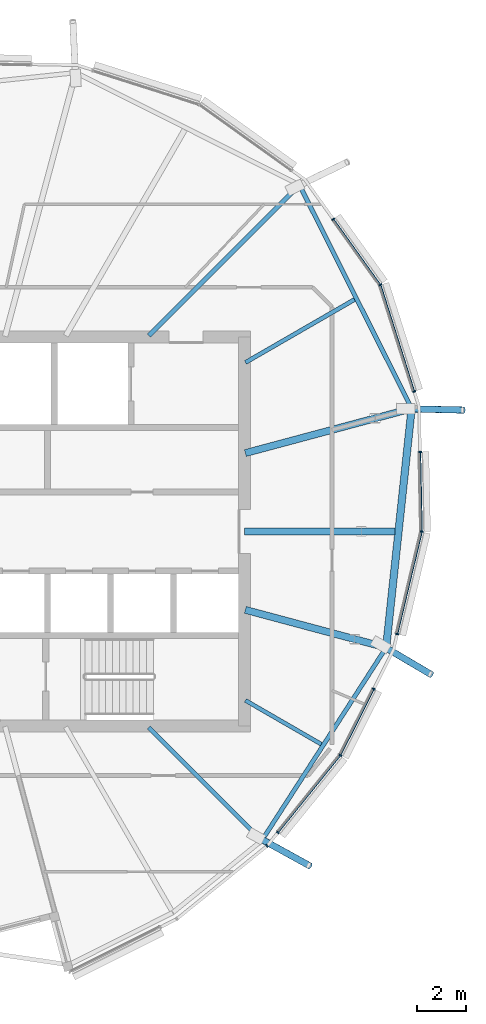
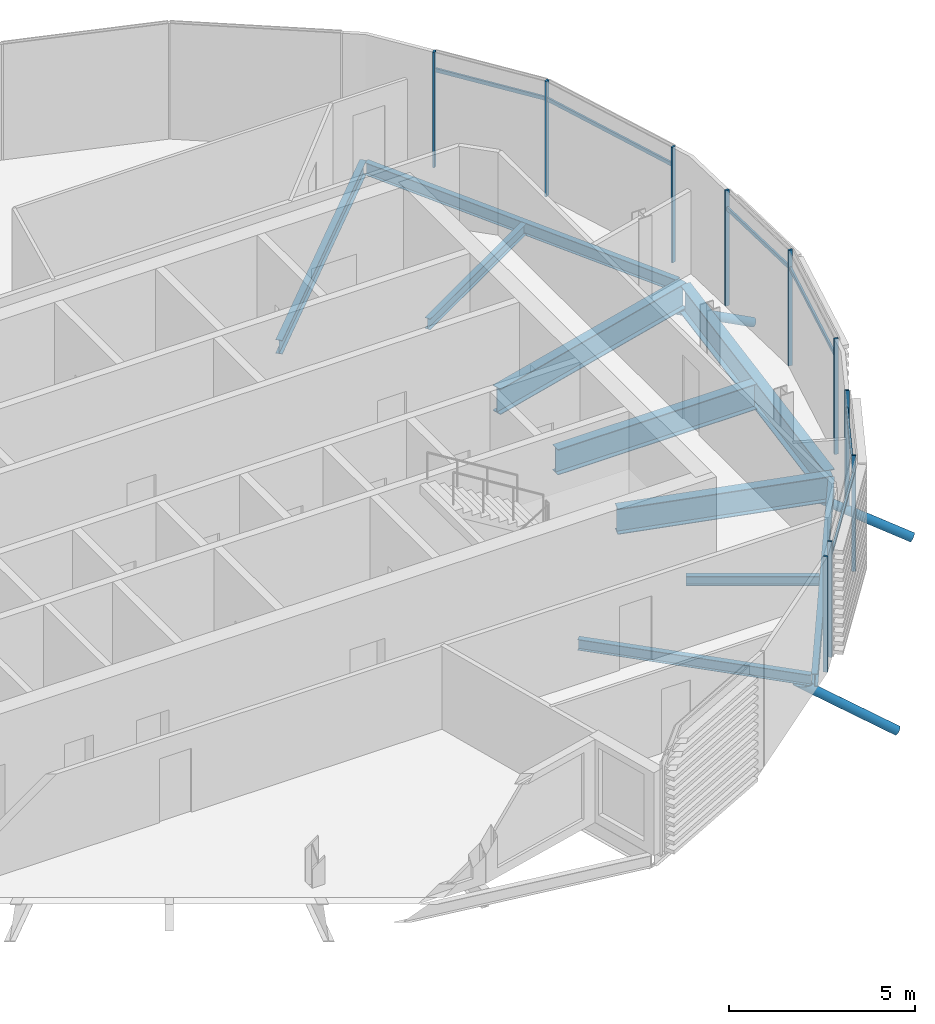
# One storey, part 13 of 33: 19 members, 10 beams, 1 element without a shape of its own.
"""IFC4 building model written with IfcOpenShell, lengths in metres."""

from ifc_helpers import new_model, si_unit, direction, frame, origin, origin_2d, place, context, subcontext, project, spatial, rectangle, hollow_circle, i_section, extrude, clip, halfspace, material, material_profile, profile_set, type_object, element, aggregate, save


model = new_model("IFC4")

# Units and contexts
model_context = context("Model", 3, precision=1e-05, world=origin(), true_north=direction((0.0, 1.0)))
body_context = subcontext(model_context, "Body", "Model", "MODEL_VIEW")
ifc_project = project(units=[si_unit("LENGTHUNIT", "METRE"), si_unit("AREAUNIT", "SQUARE_METRE"), si_unit("VOLUMEUNIT", "CUBIC_METRE"), si_unit("PLANEANGLEUNIT", "RADIAN"), si_unit("MASSUNIT", "GRAM", prefix="KILO")], contexts=[model_context])

# Site, building, storey
site_placement = place(None, origin())
site = spatial("IfcSite", under=ifc_project, at=site_placement, CompositionType="ELEMENT")
building_placement = place(site_placement, origin())
building = spatial("IfcBuilding", under=site, at=building_placement, Name="Rimbun Link Towers", CompositionType="ELEMENT")
storey_placement = place(building_placement, frame((0.0, 0.0, 237.10009765625)))
storey = spatial("IfcBuildingStorey", under=building, at=storey_placement, Name="L58", CompositionType="ELEMENT", Elevation=237.10009765625)

# Curtain wall, members
ifc_material_1 = material(Name="Aluminium 6063-T6 and low-iron glass", Category="aluminium")
curtain_wall_type = type_object("IfcCurtainWallType", Name="CW1-Z4 unitised vision wall (zone 4)", PredefinedType="NOTDEFINED", material=ifc_material_1)
curtain_wall_placement = place(storey_placement, origin())
curtain_wall = element("IfcCurtainWall", 1, at=curtain_wall_placement, inside=storey, type_object=curtain_wall_type, Name="CW1 L58 T2", PredefinedType="NOTDEFINED")
ifc_material_2 = material(Name="Aluminium 6063-T6", Category="aluminium")
ifc_material_profile_1 = material_profile(ifc_material_2, rectangle(XDim=0.1201171875, YDim=0.06005859375, at=origin_2d()), Name="MULLION 60X120")
ifc_profile_set_1 = profile_set([ifc_material_profile_1], Name="Aluminium 6063-T6")
member_type_1 = type_object("IfcMemberType", Name="CW1 mullion 60X120", PredefinedType="MULLION", material=ifc_profile_set_1)
member_1_placement = place(storey_placement, frame((44.68310546875, -12.942138671875, 0.0), z_axis=(0.0, 0.0, 1.0), x_axis=(0.629148262313, -0.777285317003, 0.0)))
member_1 = element("IfcMember", 2, at=member_1_placement, type_object=member_type_1, Name="CW1 mullion", PredefinedType="MULLION", context=body_context, shape_type="SweptSolid", body=[
    extrude(rectangle(XDim=0.1201171875, YDim=0.06005859375, at=origin_2d()), origin(), (0.0, 0.0, 1.0), 3.7998046875),
])
member_2_placement = place(storey_placement, frame((47.702392578125, -9.213623046875, 0.0), z_axis=(0.0, 0.0, 1.0), x_axis=(0.840317451193, -0.542094623862, 0.0)))
member_2 = element("IfcMember", 3, at=member_2_placement, type_object=member_type_1, Name="CW1 mullion", PredefinedType="MULLION", context=body_context, shape_type="SweptSolid", body=[
    extrude(rectangle(XDim=0.1201171875, YDim=0.06005859375, at=origin_2d()), origin(), (0.0, 0.0, 1.0), 3.7998046875),
])
member_3_placement = place(storey_placement, frame((45.13232421875, -12.38916015625, 0.0), z_axis=(0.0, 0.0, 1.0), x_axis=(0.777285317003, -0.629148262313, 0.0)))
member_3 = element("IfcMember", 4, at=member_3_placement, type_object=member_type_1, Name="CW1 mullion", PredefinedType="MULLION", context=body_context, shape_type="SweptSolid", body=[
    extrude(rectangle(XDim=0.1201171875, YDim=0.06005859375, at=origin_2d()), origin(), (0.0, 0.0, 1.0), 3.7998046875),
])
member_4_placement = place(storey_placement, frame((49.075439453125, -6.47998046875, 0.0), z_axis=(0.0, 0.0, 1.0), x_axis=(0.893642754219, -0.448779041213, 0.0)))
member_4 = element("IfcMember", 5, at=member_4_placement, type_object=member_type_1, Name="CW1 mullion", PredefinedType="MULLION", context=body_context, shape_type="SweptSolid", body=[
    extrude(rectangle(XDim=0.1201171875, YDim=0.06005859375, at=origin_2d()), origin(), (0.0, 0.0, 1.0), 3.7998046875),
])
member_5_placement = place(storey_placement, frame((51.0478515625, -0.00634765625, 0.0), z_axis=(0.0, 0.0, 1.0), x_axis=(0.994297670519, -0.106640247566, 0.0)))
member_5 = element("IfcMember", 6, at=member_5_placement, type_object=member_type_1, Name="CW1 mullion", PredefinedType="MULLION", context=body_context, shape_type="SweptSolid", body=[
    extrude(rectangle(XDim=0.1201171875, YDim=0.06005859375, at=origin_2d()), origin(), (0.0, 0.0, 1.0), 3.7998046875),
])
member_6_placement = place(storey_placement, frame((50.039306640625, -4.22607421875, 0.0), z_axis=(0.0, 0.0, 1.0), x_axis=(0.972571783307, -0.23260293703, 0.0)))
member_6 = element("IfcMember", 7, at=member_6_placement, type_object=member_type_1, Name="CW1 mullion", PredefinedType="MULLION", context=body_context, shape_type="SweptSolid", body=[
    extrude(rectangle(XDim=0.1201171875, YDim=0.06005859375, at=origin_2d()), origin(), (0.0, 0.0, 1.0), 3.7998046875),
])
member_7_placement = place(storey_placement, frame((50.979248046875, 3.277587890625, 0.0), z_axis=(0.0, 0.0, 1.0), x_axis=(0.999778112574, 0.021064795684, 0.0)))
member_7 = element("IfcMember", 8, at=member_7_placement, type_object=member_type_1, Name="CW1 mullion", PredefinedType="MULLION", context=body_context, shape_type="SweptSolid", body=[
    extrude(rectangle(XDim=0.1201171875, YDim=0.06005859375, at=origin_2d()), origin(), (0.0, 0.0, 1.0), 3.7998046875),
])
member_8_placement = place(storey_placement, frame((49.343505859375, 10.153564453125, 0.0), z_axis=(0.0, 0.0, 1.0), x_axis=(0.893746586505, 0.448572222848, 0.0)))
member_8 = element("IfcMember", 9, at=member_8_placement, type_object=member_type_1, Name="CW1 mullion", PredefinedType="MULLION", context=body_context, shape_type="SweptSolid", body=[
    extrude(rectangle(XDim=0.1201171875, YDim=0.06005859375, at=origin_2d()), origin(), (0.0, 0.0, 1.0), 3.7998046875),
])
member_9_placement = place(storey_placement, frame((50.740478515625, 5.763427734375, 0.0), z_axis=(0.0, 0.0, 1.0), x_axis=(0.952967816288, 0.303071511559, 0.0)))
member_9 = element("IfcMember", 10, at=member_9_placement, type_object=member_type_1, Name="CW1 mullion", PredefinedType="MULLION", context=body_context, shape_type="SweptSolid", body=[
    extrude(rectangle(XDim=0.1201171875, YDim=0.06005859375, at=origin_2d()), origin(), (0.0, 0.0, 1.0), 3.7998046875),
])
member_10_placement = place(storey_placement, frame((47.407470703125, 12.852783203125, 0.0), z_axis=(0.0, 0.0, 1.0), x_axis=(0.812469826089, 0.583003243297, 0.0)))
member_10 = element("IfcMember", 11, at=member_10_placement, type_object=member_type_1, Name="CW1 mullion", PredefinedType="MULLION", context=body_context, shape_type="SweptSolid", body=[
    extrude(rectangle(XDim=0.1201171875, YDim=0.06005859375, at=origin_2d()), origin(), (0.0, 0.0, 1.0), 3.7998046875),
])
ifc_material_3 = material(Name="Aluminium 6063-T6", Category="aluminium")
ifc_material_profile_2 = material_profile(ifc_material_3, rectangle(XDim=0.06005859375, YDim=0.1201171875, at=origin_2d()), Name="TRANSOM 60X120")
ifc_profile_set_2 = profile_set([ifc_material_profile_2], Name="Aluminium 6063-T6")
member_type_2 = type_object("IfcMemberType", Name="CW1 transom 60X120", PredefinedType="USERDEFINED", material=ifc_profile_set_2)
member_11_placement = place(storey_placement, frame((47.67822265625, -9.24072265625, 3.199951171875), z_axis=(-0.629166772352, -0.77727033429, 0.0), x_axis=(0.77727033429, -0.629166772352, 0.0)))
member_11 = element("IfcMember", 12, at=member_11_placement, type_object=member_type_2, Name="CW1 transom", ObjectType="TRANSOM", PredefinedType="USERDEFINED", context=body_context, shape_type="SweptSolid", body=[
    extrude(rectangle(XDim=0.06005859375, YDim=0.1201171875, at=origin_2d()), origin(), (0.0, 0.0, 1.0), 4.018798828125),
])
member_12_placement = place(storey_placement, frame((49.060302734375, -6.505859375, 3.199951171875), z_axis=(-0.448779272577, -0.89364263803, 0.0), x_axis=(0.89364263803, -0.448779272577, 0.0)))
member_12 = element("IfcMember", 13, at=member_12_placement, type_object=member_type_2, Name="CW1 transom", ObjectType="TRANSOM", PredefinedType="USERDEFINED", context=body_context, shape_type="SweptSolid", body=[
    extrude(rectangle(XDim=0.06005859375, YDim=0.1201171875, at=origin_2d()), origin(), (0.0, 0.0, 1.0), 2.99267578125),
])
member_13_placement = place(storey_placement, frame((51.037841796875, -0.042724609375, 3.199951171875), z_axis=(-0.232650791791, -0.972560336986, 0.0), x_axis=(0.972560336986, -0.232650791791, 0.0)))
member_13 = element("IfcMember", 14, at=member_13_placement, type_object=member_type_2, Name="CW1 transom", ObjectType="TRANSOM", PredefinedType="USERDEFINED", context=body_context, shape_type="SweptSolid", body=[
    extrude(rectangle(XDim=0.06005859375, YDim=0.1201171875, at=origin_2d()), origin(), (0.0, 0.0, 1.0), 4.27099609375),
])
member_14_placement = place(storey_placement, frame((50.977783203125, 3.24755859375, 3.199951171875), z_axis=(0.021097474096, -0.999777423523, 0.0), x_axis=(0.999777423523, 0.021097474096, 0.0)))
member_14 = element("IfcMember", 15, at=member_14_placement, type_object=member_type_2, Name="CW1 transom", ObjectType="TRANSOM", PredefinedType="USERDEFINED", context=body_context, shape_type="SweptSolid", body=[
    extrude(rectangle(XDim=0.06005859375, YDim=0.1201171875, at=origin_2d()), origin(), (0.0, 0.0, 1.0), 3.217041015625),
])
member_15_placement = place(storey_placement, frame((49.354248046875, 10.11572265625, 3.199951171875), z_axis=(0.303074849243, -0.952966754801, 0.0), x_axis=(0.952966754801, 0.303074849243, 0.0)))
member_15 = element("IfcMember", 16, at=member_15_placement, type_object=member_type_2, Name="CW1 transom", ObjectType="TRANSOM", PredefinedType="USERDEFINED", context=body_context, shape_type="SweptSolid", body=[
    extrude(rectangle(XDim=0.06005859375, YDim=0.1201171875, at=origin_2d()), origin(), (0.0, 0.0, 1.0), 4.53759765625),
])
member_16_placement = place(storey_placement, frame((47.42333984375, 12.827392578125, 3.199951171875), z_axis=(0.583004830978, -0.812468686816, 0.0), x_axis=(0.812468686816, 0.583004830978, 0.0)))
member_16 = element("IfcMember", 17, at=member_16_placement, type_object=member_type_2, Name="CW1 transom", ObjectType="TRANSOM", PredefinedType="USERDEFINED", context=body_context, shape_type="SweptSolid", body=[
    extrude(rectangle(XDim=0.06005859375, YDim=0.1201171875, at=origin_2d()), origin(), (0.0, 0.0, 1.0), 3.25244140625),
])
aggregate(curtain_wall, [member_1, member_2, member_3, member_4, member_5, member_6, member_7, member_8, member_9, member_10, member_11, member_12, member_13, member_14, member_15, member_16])

# Members
ifc_material_4 = material(Name="Steel S355J2H", Category="steel")
ifc_material_profile_3 = material_profile(ifc_material_4, hollow_circle(Radius=0.136474609375, WallThickness=0.012451171875, at=origin_2d()), Name="CHS 273x12.5")
ifc_profile_set_3 = profile_set([ifc_material_profile_3], Name="Steel S355J2H")
member_type_3 = type_object("IfcMemberType", Name="Floor edge link CHS 273x12.5", PredefinedType="BRACE", material=ifc_profile_set_3)
member_17_placement = place(storey_placement, frame((44.368408203125, -12.618408203125, -0.611083984375), z_axis=(0.74716098644, -0.411751151492, -0.521738871072), x_axis=(0.482649891497, 0.875813383226, 0.0)))
element("IfcMember", 18, at=member_17_placement, inside=storey, type_object=member_type_3, Name="Floor edge link T2 L58 18", PredefinedType="BRACE", context=body_context, shape_type="Clipping", body=[
    clip(extrude(hollow_circle(Radius=0.136474609375, WallThickness=0.012451171875, at=origin_2d()), frame((0.0, 0.0, -0.465576171875)), (0.0, 0.0, 1.0), 3.24462890625), halfspace(frame((0.0, 0.0, -0.218505859375), z_axis=(0.0, 0.85310523994, -0.521738871072)), False)),
])
member_18_placement = place(storey_placement, frame((49.534912109375, -4.765380859375, -1.10205078125), z_axis=(0.767788719266, -0.453242066898, -0.452848883582), x_axis=(0.508354116295, 0.861148124567, 0.0)))
element("IfcMember", 19, at=member_18_placement, inside=storey, type_object=member_type_3, Name="Floor edge link T2 L58 20", PredefinedType="BRACE", context=body_context, shape_type="Clipping", body=[
    clip(extrude(hollow_circle(Radius=0.136474609375, WallThickness=0.012451171875, at=origin_2d()), frame((0.0, 0.0, -0.5595703125)), (0.0, 0.0, 1.0), 3.043212890625), halfspace(frame((0.0, 0.0, -0.263427734375), z_axis=(0.0, 0.891587286046, -0.452848883582)), False)),
])
member_19_placement = place(storey_placement, frame((50.58349609375, 5.04638671875, -1.101806640625), z_axis=(0.889721027056, -0.021393715, -0.456003073424), x_axis=(0.024038470821, 0.99971103421, 0.0)))
element("IfcMember", 20, at=member_19_placement, inside=storey, type_object=member_type_3, Name="Floor edge link T2 L58 22", PredefinedType="BRACE", context=body_context, shape_type="Clipping", body=[
    clip(extrude(hollow_circle(Radius=0.136474609375, WallThickness=0.012451171875, at=origin_2d()), frame((0.0, 0.0, -0.5546875)), (0.0, 0.0, 1.0), 3.019775390625), halfspace(frame((0.0, 0.0, -0.260986328125), z_axis=(0.0, 0.88997820031, -0.456003073424)), False)),
])

# Beams
ifc_material_5 = material(Name="Steel S355J2", Category="steel")
ifc_material_profile_4 = material_profile(ifc_material_5, i_section(OverallWidth=0.1650390625, OverallDepth=0.303466796875, WebThickness=0.006103515625, FlangeThickness=0.01025390625, at=origin_2d()), Name="UB 305x165x40")
ifc_profile_set_4 = profile_set([ifc_material_profile_4], Name="Steel S355J2")
beam_type_1 = type_object("IfcBeamType", Name="UB 305x165x40", PredefinedType="BEAM", material=ifc_profile_set_4)
beam_1_placement = place(storey_placement, frame((43.7919921875, -6.952392578125, -0.291748046875), z_axis=(0.866013024682, -0.500021440621, 0.0), x_axis=(0.500021440621, 0.866013024682, 0.0)))
element("IfcBeam", 21, at=beam_1_placement, inside=storey, type_object=beam_type_1, Name="Radial beam T2 L58 19", PredefinedType="BEAM", context=body_context, shape_type="SweptSolid", body=[
    extrude(i_section(OverallWidth=0.1650390625, OverallDepth=0.303466796875, WebThickness=0.006103515625, FlangeThickness=0.01025390625, at=origin_2d()), origin(), (0.0, 0.0, 1.0), 3.604736328125),
])
ifc_material_6 = material(Name="Steel S355J2", Category="steel")
ifc_material_profile_5 = material_profile(ifc_material_6, i_section(OverallWidth=0.17138671875, OverallDepth=0.35498046875, WebThickness=0.00732421875, FlangeThickness=0.011474609375, at=origin_2d()), Name="UB 356x171x51")
ifc_profile_set_5 = profile_set([ifc_material_profile_5], Name="Steel S355J2")
beam_type_2 = type_object("IfcBeamType", Name="UB 356x171x51", PredefinedType="BEAM", material=ifc_profile_set_5)
beam_2_placement = place(storey_placement, frame((39.811279296875, -8.061279296875, -0.317626953125), z_axis=(0.707106781187, -0.707106781187, 0.0), x_axis=(0.707106781187, 0.707106781187, 0.0)))
element("IfcBeam", 22, at=beam_2_placement, inside=storey, type_object=beam_type_2, Name="Radial beam T2 L58 18", PredefinedType="BEAM", context=body_context, shape_type="SweptSolid", body=[
    extrude(i_section(OverallWidth=0.17138671875, OverallDepth=0.35498046875, WebThickness=0.00732421875, FlangeThickness=0.011474609375, at=origin_2d()), origin(), (0.0, 0.0, 1.0), 6.494873046875),
])
beam_3_placement = place(storey_placement, frame((43.793701171875, 6.95361328125, -0.317626953125), z_axis=(0.866039643623, 0.499975335065, 0.0), x_axis=(-0.499975335065, 0.866039643623, 0.0)))
element("IfcBeam", 23, at=beam_3_placement, inside=storey, type_object=beam_type_2, Name="Radial beam T2 L58 23", PredefinedType="BEAM", context=body_context, shape_type="SweptSolid", body=[
    extrude(i_section(OverallWidth=0.17138671875, OverallDepth=0.35498046875, WebThickness=0.00732421875, FlangeThickness=0.011474609375, at=origin_2d()), origin(), (0.0, 0.0, 1.0), 5.181396484375),
])
ifc_material_7 = material(Name="Steel S355J2", Category="steel")
ifc_material_profile_6 = material_profile(ifc_material_7, i_section(OverallWidth=0.177978515625, OverallDepth=0.406494140625, WebThickness=0.0078125, FlangeThickness=0.0126953125, at=origin_2d()), Name="UB 406x178x60")
ifc_profile_set_6 = profile_set([ifc_material_profile_6], Name="Steel S355J2")
beam_type_3 = type_object("IfcBeamType", Name="UB 406x178x60", PredefinedType="BEAM", material=ifc_profile_set_6)
beam_4_placement = place(storey_placement, frame((44.46826171875, -12.716796875, -0.34326171875), z_axis=(0.54162870191, 0.840617837824, 0.0), x_axis=(-0.840617837824, 0.54162870191, 0.0)))
element("IfcBeam", 24, at=beam_4_placement, inside=storey, type_object=beam_type_3, Name="Edge beam T2 L58 18-20", PredefinedType="BEAM", context=body_context, shape_type="SweptSolid", body=[
    extrude(i_section(OverallWidth=0.177978515625, OverallDepth=0.406494140625, WebThickness=0.0078125, FlangeThickness=0.0126953125, at=origin_2d()), origin(), (0.0, 0.0, 1.0), 9.2890625),
])
beam_5_placement = place(storey_placement, frame((50.564208984375, 5.193603515625, -0.34326171875), z_axis=(-0.448428237952, 0.893818838136, 0.0), x_axis=(-0.893818838136, -0.448428237952, 0.0)))
element("IfcBeam", 25, at=beam_5_placement, inside=storey, type_object=beam_type_3, Name="Edge beam T2 L58 22-00", PredefinedType="BEAM", context=body_context, shape_type="SweptSolid", body=[
    extrude(i_section(OverallWidth=0.177978515625, OverallDepth=0.406494140625, WebThickness=0.0078125, FlangeThickness=0.0126953125, at=origin_2d()), origin(), (0.0, 0.0, 1.0), 10.04638671875),
])
ifc_material_8 = material(Name="Steel S355J2", Category="steel")
ifc_material_profile_7 = material_profile(ifc_material_8, i_section(OverallWidth=0.18994140625, OverallDepth=0.453369140625, WebThickness=0.008544921875, FlangeThickness=0.0126953125, at=origin_2d()), Name="UB 457x191x67")
ifc_profile_set_7 = profile_set([ifc_material_profile_7], Name="Steel S355J2")
beam_type_4 = type_object("IfcBeamType", Name="UB 457x191x67", PredefinedType="BEAM", material=ifc_profile_set_7)
beam_6_placement = place(storey_placement, frame((39.81787109375, 8.06787109375, -0.36669921875), z_axis=(0.707106781187, 0.707106781187, 0.0), x_axis=(-0.707106781187, 0.707106781187, 0.0)))
element("IfcBeam", 26, at=beam_6_placement, inside=storey, type_object=beam_type_4, Name="Radial beam T2 L58 00", PredefinedType="BEAM", context=body_context, shape_type="SweptSolid", body=[
    extrude(i_section(OverallWidth=0.18994140625, OverallDepth=0.453369140625, WebThickness=0.008544921875, FlangeThickness=0.0126953125, at=origin_2d()), origin(), (0.0, 0.0, 1.0), 8.76220703125),
])
ifc_material_9 = material(Name="Steel S355J2", Category="steel")
ifc_material_profile_8 = material_profile(ifc_material_9, i_section(OverallWidth=0.29248046875, OverallDepth=0.8408203125, WebThickness=0.0126953125, FlangeThickness=0.021728515625, at=origin_2d()), Name="UB 838x292x194")
ifc_profile_set_8 = profile_set([ifc_material_profile_8], Name="Steel S355J2")
beam_type_5 = type_object("IfcBeamType", Name="UB 838x292x194", PredefinedType="BEAM", material=ifc_profile_set_8)
beam_7_placement = place(storey_placement, frame((43.788818359375, -3.225830078125, -0.560546875), z_axis=(0.965928249756, -0.25881000043, 0.0), x_axis=(0.25881000043, 0.965928249756, 0.0)))
element("IfcBeam", 27, at=beam_7_placement, inside=storey, type_object=beam_type_5, Name="Radial beam T2 L58 20", PredefinedType="BEAM", context=body_context, shape_type="SweptSolid", body=[
    extrude(i_section(OverallWidth=0.29248046875, OverallDepth=0.8408203125, WebThickness=0.0126953125, FlangeThickness=0.021728515625, at=origin_2d()), origin(), (0.0, 0.0, 1.0), 5.99853515625),
])
beam_8_placement = place(storey_placement, frame((43.7509765625, 0.0, -0.560546875), z_axis=(1.0, 0.0, 0.0), x_axis=(0.0, 1.0, 0.0)))
element("IfcBeam", 28, at=beam_8_placement, inside=storey, type_object=beam_type_5, Name="Radial beam T2 L58 21", PredefinedType="BEAM", context=body_context, shape_type="SweptSolid", body=[
    extrude(i_section(OverallWidth=0.29248046875, OverallDepth=0.8408203125, WebThickness=0.0126953125, FlangeThickness=0.021728515625, at=origin_2d()), origin(), (0.0, 0.0, 1.0), 6.186767578125),
])
beam_9_placement = place(storey_placement, frame((43.788818359375, 3.225830078125, -0.560546875), z_axis=(0.965926515246, 0.258816473865, 0.0), x_axis=(-0.258816473865, 0.965926515246, 0.0)))
element("IfcBeam", 29, at=beam_9_placement, inside=storey, type_object=beam_type_5, Name="Radial beam T2 L58 22", PredefinedType="BEAM", context=body_context, shape_type="SweptSolid", body=[
    extrude(i_section(OverallWidth=0.29248046875, OverallDepth=0.8408203125, WebThickness=0.0126953125, FlangeThickness=0.021728515625, at=origin_2d()), origin(), (0.0, 0.0, 1.0), 7.084228515625),
])
ifc_material_10 = material(Name="Steel S355J2", Category="steel")
ifc_material_profile_9 = material_profile(ifc_material_10, i_section(OverallWidth=0.305419921875, OverallDepth=0.91845703125, WebThickness=0.017333984375, FlangeThickness=0.02783203125, at=origin_2d()), Name="UB 914x305x253")
ifc_profile_set_9 = profile_set([ifc_material_profile_9], Name="Steel S355J2")
beam_type_6 = type_object("IfcBeamType", Name="UB 914x305x253", PredefinedType="BEAM", material=ifc_profile_set_9)
beam_10_placement = place(storey_placement, frame((49.598876953125, -4.630126953125, -0.599365234375), z_axis=(0.105991791066, 0.994367004796, 0.0), x_axis=(-0.994367004796, 0.105991791066, 0.0)))
element("IfcBeam", 30, at=beam_10_placement, inside=storey, type_object=beam_type_6, Name="Edge beam T2 L58 20-22", PredefinedType="BEAM", context=body_context, shape_type="SweptSolid", body=[
    extrude(i_section(OverallWidth=0.305419921875, OverallDepth=0.91845703125, WebThickness=0.017333984375, FlangeThickness=0.02783203125, at=origin_2d()), origin(), (0.0, 0.0, 1.0), 9.586669921875),
])

save(model, "model.ifc")
